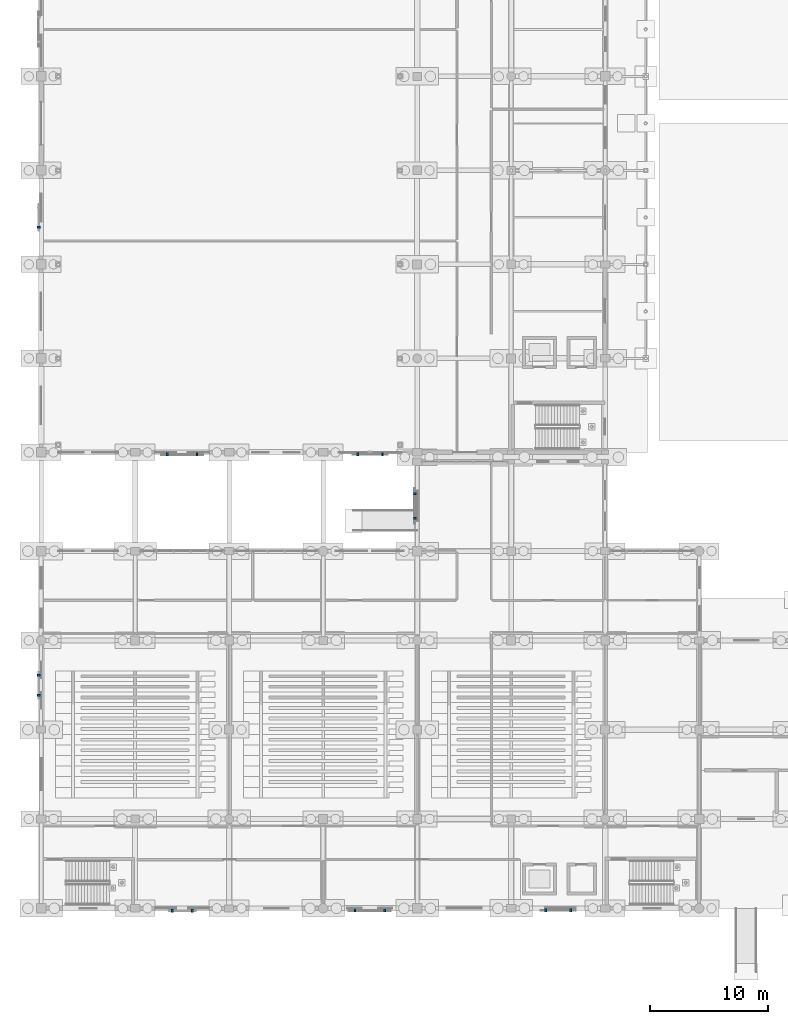
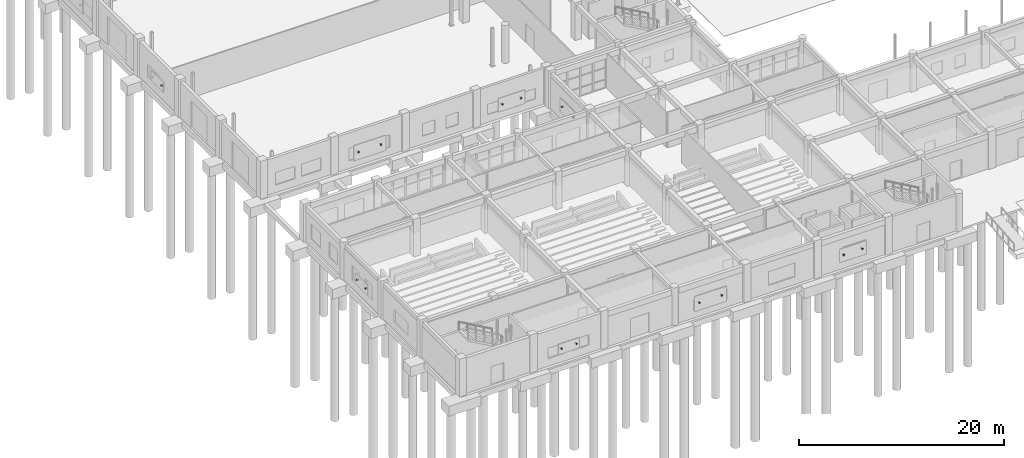
# One storey, part 144 of 166: 15 discrete accessories.
"""IFC4 building model written with IfcOpenShell, lengths in metres."""

from ifc_helpers import new_model, si_unit, direction, frame, origin, origin_2d, place, context, subcontext, project, spatial, rectangle, extrude, material, type_object, element, save


model = new_model("IFC4")

# Units and contexts
model_context = context("Model", 3, precision=1e-05, world=origin(), true_north=direction((0.0, 1.0)))
body_context = subcontext(model_context, "Body", "Model", "MODEL_VIEW")
ifc_project = project(units=[si_unit("LENGTHUNIT", "METRE"), si_unit("AREAUNIT", "SQUARE_METRE"), si_unit("VOLUMEUNIT", "CUBIC_METRE"), si_unit("PLANEANGLEUNIT", "RADIAN"), si_unit("MASSUNIT", "GRAM", prefix="KILO")], contexts=[model_context])

# Site, building, storey
site_placement = place(None, origin())
site = spatial("IfcSite", under=ifc_project, at=site_placement, CompositionType="ELEMENT")
building_placement = place(site_placement, origin())
building = spatial("IfcBuilding", under=site, at=building_placement, Name="Kharva Crest Polytechnic", CompositionType="ELEMENT")
storey_placement = place(building_placement, origin())
storey = spatial("IfcBuildingStorey", under=building, at=storey_placement, Name="L00", CompositionType="ELEMENT", Elevation=0.0)

# Discrete accessories
ifc_material = material(Name="Anodised aluminium", Category="aluminium")
discrete_accessory_type = type_object("IfcDiscreteAccessoryType", Name="ACC-BRK-JAALI", PredefinedType="BRACKET", material=ifc_material)
for number, where, z_axis, x_axis, name in (
    (1, (11.1650390625, -0.195068359375, 1.56982421875), (0.0, 0.0, 1.0), (1.0, 0.0, 0.0), "L00 Jaali Screen Bracket 2.1"),
    (2, (12.844970703125, -0.195068359375, 1.56982421875), (0.0, 0.0, 1.0), (1.0, 0.0, 0.0), "L00 Jaali Screen Bracket 2.2"),
    (3, (26.71044921875, -0.179931640625, 1.56982421875), (0.0, 0.0, 1.0), (1.0, 0.0, 0.0), "L00 Jaali Screen Bracket 3.1"),
    (4, (29.23046875, -0.179931640625, 1.56982421875), (0.0, 0.0, 1.0), (1.0, 0.0, 0.0), "L00 Jaali Screen Bracket 3.2"),
    (5, (42.955078125, -0.1650390625, 1.56982421875), (0.0, 0.0, 1.0), (1.0, 0.0, 0.0), "L00 Jaali Screen Bracket 4.1"),
    (6, (45.054931640625, -0.1650390625, 1.56982421875), (0.0, 0.0, 1.0), (1.0, 0.0, 0.0), "L00 Jaali Screen Bracket 4.2"),
    (7, (31.8125, 35.28759765625, 1.56982421875), (0.0, 0.0, 1.0), (0.0, 1.0, 0.0), "L00 Jaali Screen Bracket 7.1"),
    (8, (31.8125, 33.1875, 1.56982421875), (0.0, 0.0, 1.0), (0.0, 1.0, 0.0), "L00 Jaali Screen Bracket 7.2"),
    (9, (-0.2099609375, 19.819580078125, 1.56982421875), (0.0, 0.0, 1.0), (0.0, 1.0, 0.0), "L00 Jaali Screen Bracket 8.1"),
    (10, (-0.2099609375, 18.139404296875, 1.56982421875), (0.0, 0.0, 1.0), (0.0, 1.0, 0.0), "L00 Jaali Screen Bracket 8.2"),
    (11, (-0.195068359375, 57.9599609375, 1.56982421875), (0.0, 0.0, 1.0), (0.0, 1.0, 0.0), "L00 Jaali Screen Bracket 14.2"),
    (12, (10.739990234375, 38.635009765625, 1.56982421875), (0.0, 0.0, 1.0), (1.0, 0.0, 0.0), "L00 Jaali Screen Bracket 15.1"),
    (13, (13.260009765625, 38.635009765625, 1.56982421875), (0.0, 0.0, 1.0), (1.0, 0.0, 0.0), "L00 Jaali Screen Bracket 15.2"),
    (14, (26.949951171875, 38.64990234375, 1.56982421875), (0.0, 0.0, 1.0), (1.0, 0.0, 0.0), "L00 Jaali Screen Bracket 16.1"),
    (15, (29.050048828125, 38.64990234375, 1.56982421875), (0.0, 0.0, 1.0), (1.0, 0.0, 0.0), "L00 Jaali Screen Bracket 16.2"),
):
    element("IfcDiscreteAccessory", number, at=place(storey_placement, frame(where, z_axis=z_axis, x_axis=x_axis)), inside=storey, type_object=discrete_accessory_type, Name=name, PredefinedType="BRACKET", context=body_context, shape_type="SweptSolid", body=[
        extrude(rectangle(XDim=0.159912109375, YDim=0.239990234375, at=origin_2d()), origin(), (0.0, 0.0, 1.0), 0.159912109375),
    ])

save(model, "model.ifc")
